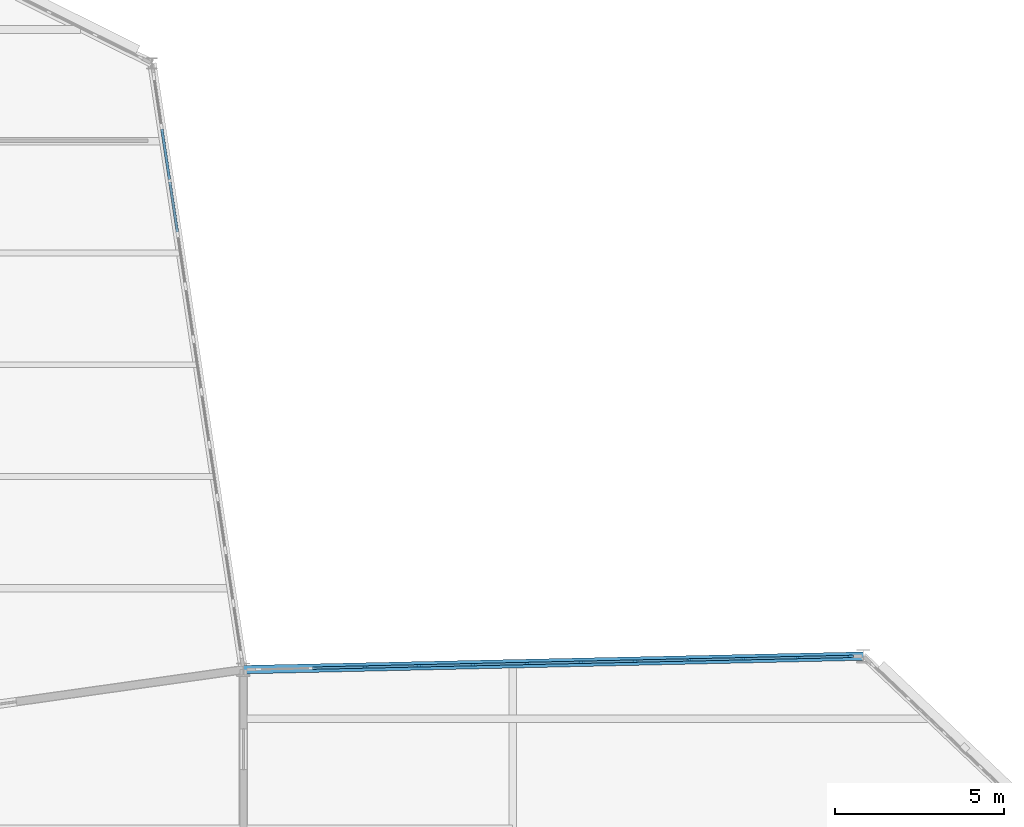
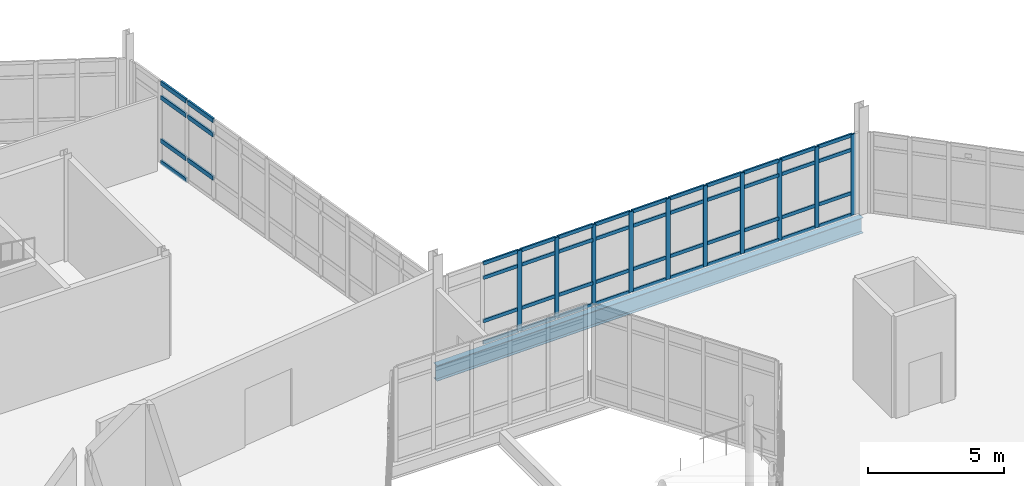
# One storey, part 47 of 134: 57 members, 1 beam, 2 elements without a shape of their own.
"""IFC4 building model written with IfcOpenShell, lengths in metres."""

from ifc_helpers import new_model, si_unit, direction, frame, origin, origin_2d, place, context, subcontext, project, spatial, rectangle, i_section, extrude, material, material_profile, profile_set, type_object, element, aggregate, save


model = new_model("IFC4")

# Units and contexts
model_context = context("Model", 3, precision=1e-05, world=origin(), true_north=direction((0.0, 1.0)))
body_context = subcontext(model_context, "Body", "Model", "MODEL_VIEW")
ifc_project = project(units=[si_unit("LENGTHUNIT", "METRE"), si_unit("AREAUNIT", "SQUARE_METRE"), si_unit("VOLUMEUNIT", "CUBIC_METRE"), si_unit("PLANEANGLEUNIT", "RADIAN"), si_unit("MASSUNIT", "GRAM", prefix="KILO")], contexts=[model_context])

# Site, building, storey
site_placement = place(None, origin())
site = spatial("IfcSite", under=ifc_project, at=site_placement, CompositionType="ELEMENT")
building_placement = place(site_placement, origin())
building = spatial("IfcBuilding", under=site, at=building_placement, Name="Tameran Prism Museum", CompositionType="ELEMENT")
storey_placement = place(building_placement, frame((0.0, 0.0, 5.39990234375)))
storey = spatial("IfcBuildingStorey", under=building, at=storey_placement, Name="L01", CompositionType="ELEMENT", Elevation=5.39990234375)

# Beam
ifc_material_1 = material(Name="Steel Grade 350 (350 MPa)", Category="steel")
ifc_material_profile_1 = material_profile(ifc_material_1, i_section(OverallWidth=0.25, OverallDepth=0.699951171875, WebThickness=0.010009765625, FlangeThickness=0.02001953125, at=origin_2d()))
ifc_profile_set_1 = profile_set([ifc_material_profile_1])
beam_type = type_object("IfcBeamType", Name="BM-SP700", PredefinedType="SPANDREL", material=ifc_profile_set_1)
beam_placement = place(storey_placement, frame((95.800048828125, 48.60009765625, -0.5498046875), z_axis=(-0.999761027559, -0.021860644425, 0.0), x_axis=(0.021860644425, -0.999761027559, 0.0)))
element("IfcBeam", 1, at=beam_placement, inside=storey, type_object=beam_type, Name="Perimeter Spandrel SP-0355", PredefinedType="SPANDREL", context=body_context, shape_type="SweptSolid", body=[
    extrude(i_section(OverallWidth=0.25, OverallDepth=0.699951171875, WebThickness=0.010009765625, FlangeThickness=0.02001953125, at=origin_2d()), origin(), (0.0, 0.0, 1.0), 18.304443359375),
])

# Curtain wall, members
ifc_material_2 = material(Name="Anodised Aluminium 6063-T6 and Cyclone Solar Glass", Category="aluminium")
curtain_wall_type_1 = type_object("IfcCurtainWallType", Name="CW-FAC-1754x362", PredefinedType="USERDEFINED", material=ifc_material_2)
curtain_wall_1_placement = place(storey_placement, origin())
curtain_wall_1 = element("IfcCurtainWall", 2, at=curtain_wall_1_placement, inside=storey, type_object=curtain_wall_type_1, Name="Unitised Curtain Wall CW-068", ObjectType="UNITISED CURTAIN WALL", PredefinedType="USERDEFINED")
ifc_material_3 = material(Name="Anodised Aluminium Alloy 6063-T6", Category="aluminium")
ifc_material_profile_2 = material_profile(ifc_material_3, rectangle(XDim=0.070068359375, YDim=0.179931640625, at=origin_2d()))
ifc_profile_set_2 = profile_set([ifc_material_profile_2])
member_type_1 = type_object("IfcMemberType", Name="CW-MUL-B", PredefinedType="MULLION", material=ifc_profile_set_2)
member_1_placement = place(storey_placement, frame((81.09912109375, 48.278564453125, 0.0), z_axis=(0.0, 0.0, 1.0), x_axis=(-0.021830600058, 0.999761684053, 0.0)))
member_1 = element("IfcMember", 3, at=member_1_placement, type_object=member_type_1, Name="CW-068 mullion 3", PredefinedType="MULLION", context=body_context, shape_type="SweptSolid", body=[
    extrude(rectangle(XDim=0.070068359375, YDim=0.179931640625, at=origin_2d()), origin(), (0.0, 0.0, 1.0), 3.6201171875),
])
member_2_placement = place(storey_placement, frame((82.693603515625, 48.3134765625, 0.0), z_axis=(0.0, 0.0, 1.0), x_axis=(-0.021830600058, 0.999761684053, 0.0)))
member_2 = element("IfcMember", 4, at=member_2_placement, type_object=member_type_1, Name="CW-068 mullion 4", PredefinedType="MULLION", context=body_context, shape_type="SweptSolid", body=[
    extrude(rectangle(XDim=0.070068359375, YDim=0.179931640625, at=origin_2d()), origin(), (0.0, 0.0, 1.0), 3.6201171875),
])
member_3_placement = place(storey_placement, frame((84.2880859375, 48.348388671875, 0.0), z_axis=(0.0, 0.0, 1.0), x_axis=(-0.021830600058, 0.999761684053, 0.0)))
member_3 = element("IfcMember", 5, at=member_3_placement, type_object=member_type_1, Name="CW-068 mullion 5", PredefinedType="MULLION", context=body_context, shape_type="SweptSolid", body=[
    extrude(rectangle(XDim=0.070068359375, YDim=0.179931640625, at=origin_2d()), origin(), (0.0, 0.0, 1.0), 3.6201171875),
])
member_4_placement = place(storey_placement, frame((85.8828125, 48.383056640625, 0.0), z_axis=(0.0, 0.0, 1.0), x_axis=(-0.021830600058, 0.999761684053, 0.0)))
member_4 = element("IfcMember", 6, at=member_4_placement, type_object=member_type_1, Name="CW-068 mullion 6", PredefinedType="MULLION", context=body_context, shape_type="SweptSolid", body=[
    extrude(rectangle(XDim=0.070068359375, YDim=0.179931640625, at=origin_2d()), origin(), (0.0, 0.0, 1.0), 3.6201171875),
])
member_5_placement = place(storey_placement, frame((87.477294921875, 48.41796875, 0.0), z_axis=(0.0, 0.0, 1.0), x_axis=(-0.021830600058, 0.999761684053, 0.0)))
member_5 = element("IfcMember", 7, at=member_5_placement, type_object=member_type_1, Name="CW-068 mullion 7", PredefinedType="MULLION", context=body_context, shape_type="SweptSolid", body=[
    extrude(rectangle(XDim=0.070068359375, YDim=0.179931640625, at=origin_2d()), origin(), (0.0, 0.0, 1.0), 3.6201171875),
])
member_6_placement = place(storey_placement, frame((89.07177734375, 48.45263671875, 0.0), z_axis=(0.0, 0.0, 1.0), x_axis=(-0.021830600058, 0.999761684053, 0.0)))
member_6 = element("IfcMember", 8, at=member_6_placement, type_object=member_type_1, Name="CW-068 mullion 8", PredefinedType="MULLION", context=body_context, shape_type="SweptSolid", body=[
    extrude(rectangle(XDim=0.070068359375, YDim=0.179931640625, at=origin_2d()), origin(), (0.0, 0.0, 1.0), 3.6201171875),
])
member_7_placement = place(storey_placement, frame((90.666259765625, 48.487548828125, 0.0), z_axis=(0.0, 0.0, 1.0), x_axis=(-0.021830600058, 0.999761684053, 0.0)))
member_7 = element("IfcMember", 9, at=member_7_placement, type_object=member_type_1, Name="CW-068 mullion 9", PredefinedType="MULLION", context=body_context, shape_type="SweptSolid", body=[
    extrude(rectangle(XDim=0.070068359375, YDim=0.179931640625, at=origin_2d()), origin(), (0.0, 0.0, 1.0), 3.6201171875),
])
member_8_placement = place(storey_placement, frame((92.260986328125, 48.5224609375, 0.0), z_axis=(0.0, 0.0, 1.0), x_axis=(-0.021830600058, 0.999761684053, 0.0)))
member_8 = element("IfcMember", 10, at=member_8_placement, type_object=member_type_1, Name="CW-068 mullion 10", PredefinedType="MULLION", context=body_context, shape_type="SweptSolid", body=[
    extrude(rectangle(XDim=0.070068359375, YDim=0.179931640625, at=origin_2d()), origin(), (0.0, 0.0, 1.0), 3.6201171875),
])
member_9_placement = place(storey_placement, frame((93.85546875, 48.55712890625, 0.0), z_axis=(0.0, 0.0, 1.0), x_axis=(-0.021830600058, 0.999761684053, 0.0)))
member_9 = element("IfcMember", 11, at=member_9_placement, type_object=member_type_1, Name="CW-068 mullion 11", PredefinedType="MULLION", context=body_context, shape_type="SweptSolid", body=[
    extrude(rectangle(XDim=0.070068359375, YDim=0.179931640625, at=origin_2d()), origin(), (0.0, 0.0, 1.0), 3.6201171875),
])
member_10_placement = place(storey_placement, frame((95.4150390625, 48.59130859375, 0.0), z_axis=(0.0, 0.0, 1.0), x_axis=(-0.021830600058, 0.999761684053, 0.0)))
member_10 = element("IfcMember", 12, at=member_10_placement, type_object=member_type_1, Name="CW-068 mullion 12", PredefinedType="MULLION", context=body_context, shape_type="SweptSolid", body=[
    extrude(rectangle(XDim=0.070068359375, YDim=0.179931640625, at=origin_2d()), origin(), (0.0, 0.0, 1.0), 3.6201171875),
])
ifc_material_4 = material(Name="Anodised Aluminium Alloy 6063-T6", Category="aluminium")
ifc_material_profile_3 = material_profile(ifc_material_4, rectangle(XDim=0.070068359375, YDim=0.155029296875, at=origin_2d()))
ifc_profile_set_3 = profile_set([ifc_material_profile_3])
member_type_2 = type_object("IfcMemberType", Name="CW-TRN-B", PredefinedType="USERDEFINED", material=ifc_profile_set_3)
member_11_placement = place(storey_placement, frame((79.53955078125, 48.24462890625, 0.03515625), z_axis=(0.999762956258, 0.021772259736, 0.0), x_axis=(-0.021772259736, 0.999762956258, 0.0)))
member_11 = element("IfcMember", 13, at=member_11_placement, type_object=member_type_2, Name="CW-068 transom 2.1", ObjectType="TRANSOM", PredefinedType="USERDEFINED", context=body_context, shape_type="SweptSolid", body=[
    extrude(rectangle(XDim=0.070068359375, YDim=0.155029296875, at=origin_2d()), origin(), (0.0, 0.0, 1.0), 1.52490234375),
])
member_12_placement = place(storey_placement, frame((79.53955078125, 48.24462890625, 1.0), z_axis=(0.999762956258, 0.021772259736, 0.0), x_axis=(-0.021772259736, 0.999762956258, 0.0)))
member_12 = element("IfcMember", 14, at=member_12_placement, type_object=member_type_2, Name="CW-068 transom 2.2", ObjectType="TRANSOM", PredefinedType="USERDEFINED", context=body_context, shape_type="SweptSolid", body=[
    extrude(rectangle(XDim=0.070068359375, YDim=0.155029296875, at=origin_2d()), origin(), (0.0, 0.0, 1.0), 1.52490234375),
])
member_13_placement = place(storey_placement, frame((79.53955078125, 48.24462890625, 2.940185546875), z_axis=(0.999762956258, 0.021772259736, 0.0), x_axis=(-0.021772259736, 0.999762956258, 0.0)))
member_13 = element("IfcMember", 15, at=member_13_placement, type_object=member_type_2, Name="CW-068 transom 2.3", ObjectType="TRANSOM", PredefinedType="USERDEFINED", context=body_context, shape_type="SweptSolid", body=[
    extrude(rectangle(XDim=0.070068359375, YDim=0.155029296875, at=origin_2d()), origin(), (0.0, 0.0, 1.0), 1.52490234375),
])
member_14_placement = place(storey_placement, frame((79.53955078125, 48.24462890625, 3.585205078125), z_axis=(0.999762956258, 0.021772259736, 0.0), x_axis=(-0.021772259736, 0.999762956258, 0.0)))
member_14 = element("IfcMember", 16, at=member_14_placement, type_object=member_type_2, Name="CW-068 transom 2.4", ObjectType="TRANSOM", PredefinedType="USERDEFINED", context=body_context, shape_type="SweptSolid", body=[
    extrude(rectangle(XDim=0.070068359375, YDim=0.155029296875, at=origin_2d()), origin(), (0.0, 0.0, 1.0), 1.52490234375),
])
member_15_placement = place(storey_placement, frame((81.134033203125, 48.279296875, 0.03515625), z_axis=(0.999759458767, 0.021932273155, 0.0), x_axis=(-0.021932273155, 0.999759458767, 0.0)))
member_15 = element("IfcMember", 17, at=member_15_placement, type_object=member_type_2, Name="CW-068 transom 3.1", ObjectType="TRANSOM", PredefinedType="USERDEFINED", context=body_context, shape_type="SweptSolid", body=[
    extrude(rectangle(XDim=0.070068359375, YDim=0.155029296875, at=origin_2d()), origin(), (0.0, 0.0, 1.0), 1.525146484375),
])
member_16_placement = place(storey_placement, frame((81.134033203125, 48.279296875, 1.0), z_axis=(0.999759458767, 0.021932273155, 0.0), x_axis=(-0.021932273155, 0.999759458767, 0.0)))
member_16 = element("IfcMember", 18, at=member_16_placement, type_object=member_type_2, Name="CW-068 transom 3.2", ObjectType="TRANSOM", PredefinedType="USERDEFINED", context=body_context, shape_type="SweptSolid", body=[
    extrude(rectangle(XDim=0.070068359375, YDim=0.155029296875, at=origin_2d()), origin(), (0.0, 0.0, 1.0), 1.525146484375),
])
member_17_placement = place(storey_placement, frame((81.134033203125, 48.279296875, 2.940185546875), z_axis=(0.999759458767, 0.021932273155, 0.0), x_axis=(-0.021932273155, 0.999759458767, 0.0)))
member_17 = element("IfcMember", 19, at=member_17_placement, type_object=member_type_2, Name="CW-068 transom 3.3", ObjectType="TRANSOM", PredefinedType="USERDEFINED", context=body_context, shape_type="SweptSolid", body=[
    extrude(rectangle(XDim=0.070068359375, YDim=0.155029296875, at=origin_2d()), origin(), (0.0, 0.0, 1.0), 1.525146484375),
])
member_18_placement = place(storey_placement, frame((81.134033203125, 48.279296875, 3.585205078125), z_axis=(0.999759458767, 0.021932273155, 0.0), x_axis=(-0.021932273155, 0.999759458767, 0.0)))
member_18 = element("IfcMember", 20, at=member_18_placement, type_object=member_type_2, Name="CW-068 transom 3.4", ObjectType="TRANSOM", PredefinedType="USERDEFINED", context=body_context, shape_type="SweptSolid", body=[
    extrude(rectangle(XDim=0.070068359375, YDim=0.155029296875, at=origin_2d()), origin(), (0.0, 0.0, 1.0), 1.525146484375),
])
member_19_placement = place(storey_placement, frame((82.728515625, 48.314208984375, 0.03515625), z_axis=(0.999762956258, 0.021772259736, 0.0), x_axis=(-0.021772259736, 0.999762956258, 0.0)))
member_19 = element("IfcMember", 21, at=member_19_placement, type_object=member_type_2, Name="CW-068 transom 4.1", ObjectType="TRANSOM", PredefinedType="USERDEFINED", context=body_context, shape_type="SweptSolid", body=[
    extrude(rectangle(XDim=0.070068359375, YDim=0.155029296875, at=origin_2d()), origin(), (0.0, 0.0, 1.0), 1.52490234375),
])
member_20_placement = place(storey_placement, frame((82.728515625, 48.314208984375, 1.0), z_axis=(0.999762956258, 0.021772259736, 0.0), x_axis=(-0.021772259736, 0.999762956258, 0.0)))
member_20 = element("IfcMember", 22, at=member_20_placement, type_object=member_type_2, Name="CW-068 transom 4.2", ObjectType="TRANSOM", PredefinedType="USERDEFINED", context=body_context, shape_type="SweptSolid", body=[
    extrude(rectangle(XDim=0.070068359375, YDim=0.155029296875, at=origin_2d()), origin(), (0.0, 0.0, 1.0), 1.52490234375),
])
member_21_placement = place(storey_placement, frame((82.728515625, 48.314208984375, 2.940185546875), z_axis=(0.999762956258, 0.021772259736, 0.0), x_axis=(-0.021772259736, 0.999762956258, 0.0)))
member_21 = element("IfcMember", 23, at=member_21_placement, type_object=member_type_2, Name="CW-068 transom 4.3", ObjectType="TRANSOM", PredefinedType="USERDEFINED", context=body_context, shape_type="SweptSolid", body=[
    extrude(rectangle(XDim=0.070068359375, YDim=0.155029296875, at=origin_2d()), origin(), (0.0, 0.0, 1.0), 1.52490234375),
])
member_22_placement = place(storey_placement, frame((82.728515625, 48.314208984375, 3.585205078125), z_axis=(0.999762956258, 0.021772259736, 0.0), x_axis=(-0.021772259736, 0.999762956258, 0.0)))
member_22 = element("IfcMember", 24, at=member_22_placement, type_object=member_type_2, Name="CW-068 transom 4.4", ObjectType="TRANSOM", PredefinedType="USERDEFINED", context=body_context, shape_type="SweptSolid", body=[
    extrude(rectangle(XDim=0.070068359375, YDim=0.155029296875, at=origin_2d()), origin(), (0.0, 0.0, 1.0), 1.52490234375),
])
member_23_placement = place(storey_placement, frame((84.3232421875, 48.34912109375, 0.03515625), z_axis=(0.999762880352, 0.021775744992, 0.0), x_axis=(-0.021775744992, 0.999762880352, 0.0)))
member_23 = element("IfcMember", 25, at=member_23_placement, type_object=member_type_2, Name="CW-068 transom 5.1", ObjectType="TRANSOM", PredefinedType="USERDEFINED", context=body_context, shape_type="SweptSolid", body=[
    extrude(rectangle(XDim=0.070068359375, YDim=0.155029296875, at=origin_2d()), origin(), (0.0, 0.0, 1.0), 1.524658203125),
])
member_24_placement = place(storey_placement, frame((84.3232421875, 48.34912109375, 1.0), z_axis=(0.999762880352, 0.021775744992, 0.0), x_axis=(-0.021775744992, 0.999762880352, 0.0)))
member_24 = element("IfcMember", 26, at=member_24_placement, type_object=member_type_2, Name="CW-068 transom 5.2", ObjectType="TRANSOM", PredefinedType="USERDEFINED", context=body_context, shape_type="SweptSolid", body=[
    extrude(rectangle(XDim=0.070068359375, YDim=0.155029296875, at=origin_2d()), origin(), (0.0, 0.0, 1.0), 1.524658203125),
])
member_25_placement = place(storey_placement, frame((84.3232421875, 48.34912109375, 2.940185546875), z_axis=(0.999762880352, 0.021775744992, 0.0), x_axis=(-0.021775744992, 0.999762880352, 0.0)))
member_25 = element("IfcMember", 27, at=member_25_placement, type_object=member_type_2, Name="CW-068 transom 5.3", ObjectType="TRANSOM", PredefinedType="USERDEFINED", context=body_context, shape_type="SweptSolid", body=[
    extrude(rectangle(XDim=0.070068359375, YDim=0.155029296875, at=origin_2d()), origin(), (0.0, 0.0, 1.0), 1.524658203125),
])
member_26_placement = place(storey_placement, frame((84.3232421875, 48.34912109375, 3.585205078125), z_axis=(0.999762880352, 0.021775744992, 0.0), x_axis=(-0.021775744992, 0.999762880352, 0.0)))
member_26 = element("IfcMember", 28, at=member_26_placement, type_object=member_type_2, Name="CW-068 transom 5.4", ObjectType="TRANSOM", PredefinedType="USERDEFINED", context=body_context, shape_type="SweptSolid", body=[
    extrude(rectangle(XDim=0.070068359375, YDim=0.155029296875, at=origin_2d()), origin(), (0.0, 0.0, 1.0), 1.524658203125),
])
member_27_placement = place(storey_placement, frame((85.917724609375, 48.3837890625, 0.03515625), z_axis=(0.999759458767, 0.021932273155, 0.0), x_axis=(-0.021932273155, 0.999759458767, 0.0)))
member_27 = element("IfcMember", 29, at=member_27_placement, type_object=member_type_2, Name="CW-068 transom 6.1", ObjectType="TRANSOM", PredefinedType="USERDEFINED", context=body_context, shape_type="SweptSolid", body=[
    extrude(rectangle(XDim=0.070068359375, YDim=0.155029296875, at=origin_2d()), origin(), (0.0, 0.0, 1.0), 1.525146484375),
])
member_28_placement = place(storey_placement, frame((85.917724609375, 48.3837890625, 1.0), z_axis=(0.999759458767, 0.021932273155, 0.0), x_axis=(-0.021932273155, 0.999759458767, 0.0)))
member_28 = element("IfcMember", 30, at=member_28_placement, type_object=member_type_2, Name="CW-068 transom 6.2", ObjectType="TRANSOM", PredefinedType="USERDEFINED", context=body_context, shape_type="SweptSolid", body=[
    extrude(rectangle(XDim=0.070068359375, YDim=0.155029296875, at=origin_2d()), origin(), (0.0, 0.0, 1.0), 1.525146484375),
])
member_29_placement = place(storey_placement, frame((85.917724609375, 48.3837890625, 2.940185546875), z_axis=(0.999759458767, 0.021932273155, 0.0), x_axis=(-0.021932273155, 0.999759458767, 0.0)))
member_29 = element("IfcMember", 31, at=member_29_placement, type_object=member_type_2, Name="CW-068 transom 6.3", ObjectType="TRANSOM", PredefinedType="USERDEFINED", context=body_context, shape_type="SweptSolid", body=[
    extrude(rectangle(XDim=0.070068359375, YDim=0.155029296875, at=origin_2d()), origin(), (0.0, 0.0, 1.0), 1.525146484375),
])
member_30_placement = place(storey_placement, frame((85.917724609375, 48.3837890625, 3.585205078125), z_axis=(0.999759458767, 0.021932273155, 0.0), x_axis=(-0.021932273155, 0.999759458767, 0.0)))
member_30 = element("IfcMember", 32, at=member_30_placement, type_object=member_type_2, Name="CW-068 transom 6.4", ObjectType="TRANSOM", PredefinedType="USERDEFINED", context=body_context, shape_type="SweptSolid", body=[
    extrude(rectangle(XDim=0.070068359375, YDim=0.155029296875, at=origin_2d()), origin(), (0.0, 0.0, 1.0), 1.525146484375),
])
member_31_placement = place(storey_placement, frame((87.51220703125, 48.418701171875, 0.03515625), z_axis=(0.999762956258, 0.021772259736, 0.0), x_axis=(-0.021772259736, 0.999762956258, 0.0)))
member_31 = element("IfcMember", 33, at=member_31_placement, type_object=member_type_2, Name="CW-068 transom 7.1", ObjectType="TRANSOM", PredefinedType="USERDEFINED", context=body_context, shape_type="SweptSolid", body=[
    extrude(rectangle(XDim=0.070068359375, YDim=0.155029296875, at=origin_2d()), origin(), (0.0, 0.0, 1.0), 1.52490234375),
])
member_32_placement = place(storey_placement, frame((87.51220703125, 48.418701171875, 1.0), z_axis=(0.999762956258, 0.021772259736, 0.0), x_axis=(-0.021772259736, 0.999762956258, 0.0)))
member_32 = element("IfcMember", 34, at=member_32_placement, type_object=member_type_2, Name="CW-068 transom 7.2", ObjectType="TRANSOM", PredefinedType="USERDEFINED", context=body_context, shape_type="SweptSolid", body=[
    extrude(rectangle(XDim=0.070068359375, YDim=0.155029296875, at=origin_2d()), origin(), (0.0, 0.0, 1.0), 1.52490234375),
])
member_33_placement = place(storey_placement, frame((87.51220703125, 48.418701171875, 2.940185546875), z_axis=(0.999762956258, 0.021772259736, 0.0), x_axis=(-0.021772259736, 0.999762956258, 0.0)))
member_33 = element("IfcMember", 35, at=member_33_placement, type_object=member_type_2, Name="CW-068 transom 7.3", ObjectType="TRANSOM", PredefinedType="USERDEFINED", context=body_context, shape_type="SweptSolid", body=[
    extrude(rectangle(XDim=0.070068359375, YDim=0.155029296875, at=origin_2d()), origin(), (0.0, 0.0, 1.0), 1.52490234375),
])
member_34_placement = place(storey_placement, frame((87.51220703125, 48.418701171875, 3.585205078125), z_axis=(0.999762956258, 0.021772259736, 0.0), x_axis=(-0.021772259736, 0.999762956258, 0.0)))
member_34 = element("IfcMember", 36, at=member_34_placement, type_object=member_type_2, Name="CW-068 transom 7.4", ObjectType="TRANSOM", PredefinedType="USERDEFINED", context=body_context, shape_type="SweptSolid", body=[
    extrude(rectangle(XDim=0.070068359375, YDim=0.155029296875, at=origin_2d()), origin(), (0.0, 0.0, 1.0), 1.52490234375),
])
member_35_placement = place(storey_placement, frame((89.106689453125, 48.45361328125, 0.03515625), z_axis=(0.999762956258, 0.021772259736, 0.0), x_axis=(-0.021772259736, 0.999762956258, 0.0)))
member_35 = element("IfcMember", 37, at=member_35_placement, type_object=member_type_2, Name="CW-068 transom 8.1", ObjectType="TRANSOM", PredefinedType="USERDEFINED", context=body_context, shape_type="SweptSolid", body=[
    extrude(rectangle(XDim=0.070068359375, YDim=0.155029296875, at=origin_2d()), origin(), (0.0, 0.0, 1.0), 1.52490234375),
])
member_36_placement = place(storey_placement, frame((89.106689453125, 48.45361328125, 1.0), z_axis=(0.999762956258, 0.021772259736, 0.0), x_axis=(-0.021772259736, 0.999762956258, 0.0)))
member_36 = element("IfcMember", 38, at=member_36_placement, type_object=member_type_2, Name="CW-068 transom 8.2", ObjectType="TRANSOM", PredefinedType="USERDEFINED", context=body_context, shape_type="SweptSolid", body=[
    extrude(rectangle(XDim=0.070068359375, YDim=0.155029296875, at=origin_2d()), origin(), (0.0, 0.0, 1.0), 1.52490234375),
])
member_37_placement = place(storey_placement, frame((89.106689453125, 48.45361328125, 2.940185546875), z_axis=(0.999762956258, 0.021772259736, 0.0), x_axis=(-0.021772259736, 0.999762956258, 0.0)))
member_37 = element("IfcMember", 39, at=member_37_placement, type_object=member_type_2, Name="CW-068 transom 8.3", ObjectType="TRANSOM", PredefinedType="USERDEFINED", context=body_context, shape_type="SweptSolid", body=[
    extrude(rectangle(XDim=0.070068359375, YDim=0.155029296875, at=origin_2d()), origin(), (0.0, 0.0, 1.0), 1.52490234375),
])
member_38_placement = place(storey_placement, frame((89.106689453125, 48.45361328125, 3.585205078125), z_axis=(0.999762956258, 0.021772259736, 0.0), x_axis=(-0.021772259736, 0.999762956258, 0.0)))
member_38 = element("IfcMember", 40, at=member_38_placement, type_object=member_type_2, Name="CW-068 transom 8.4", ObjectType="TRANSOM", PredefinedType="USERDEFINED", context=body_context, shape_type="SweptSolid", body=[
    extrude(rectangle(XDim=0.070068359375, YDim=0.155029296875, at=origin_2d()), origin(), (0.0, 0.0, 1.0), 1.52490234375),
])
member_39_placement = place(storey_placement, frame((90.701416015625, 48.48828125, 0.03515625), z_axis=(0.999762880352, 0.021775744992, 0.0), x_axis=(-0.021775744992, 0.999762880352, 0.0)))
member_39 = element("IfcMember", 41, at=member_39_placement, type_object=member_type_2, Name="CW-068 transom 9.1", ObjectType="TRANSOM", PredefinedType="USERDEFINED", context=body_context, shape_type="SweptSolid", body=[
    extrude(rectangle(XDim=0.070068359375, YDim=0.155029296875, at=origin_2d()), origin(), (0.0, 0.0, 1.0), 1.524658203125),
])
member_40_placement = place(storey_placement, frame((90.701416015625, 48.48828125, 1.0), z_axis=(0.999762880352, 0.021775744992, 0.0), x_axis=(-0.021775744992, 0.999762880352, 0.0)))
member_40 = element("IfcMember", 42, at=member_40_placement, type_object=member_type_2, Name="CW-068 transom 9.2", ObjectType="TRANSOM", PredefinedType="USERDEFINED", context=body_context, shape_type="SweptSolid", body=[
    extrude(rectangle(XDim=0.070068359375, YDim=0.155029296875, at=origin_2d()), origin(), (0.0, 0.0, 1.0), 1.524658203125),
])
member_41_placement = place(storey_placement, frame((90.701416015625, 48.48828125, 2.940185546875), z_axis=(0.999762880352, 0.021775744992, 0.0), x_axis=(-0.021775744992, 0.999762880352, 0.0)))
member_41 = element("IfcMember", 43, at=member_41_placement, type_object=member_type_2, Name="CW-068 transom 9.3", ObjectType="TRANSOM", PredefinedType="USERDEFINED", context=body_context, shape_type="SweptSolid", body=[
    extrude(rectangle(XDim=0.070068359375, YDim=0.155029296875, at=origin_2d()), origin(), (0.0, 0.0, 1.0), 1.524658203125),
])
member_42_placement = place(storey_placement, frame((90.701416015625, 48.48828125, 3.585205078125), z_axis=(0.999762880352, 0.021775744992, 0.0), x_axis=(-0.021775744992, 0.999762880352, 0.0)))
member_42 = element("IfcMember", 44, at=member_42_placement, type_object=member_type_2, Name="CW-068 transom 9.4", ObjectType="TRANSOM", PredefinedType="USERDEFINED", context=body_context, shape_type="SweptSolid", body=[
    extrude(rectangle(XDim=0.070068359375, YDim=0.155029296875, at=origin_2d()), origin(), (0.0, 0.0, 1.0), 1.524658203125),
])
member_43_placement = place(storey_placement, frame((92.2958984375, 48.523193359375, 0.03515625), z_axis=(0.999762956258, 0.021772259736, 0.0), x_axis=(-0.021772259736, 0.999762956258, 0.0)))
member_43 = element("IfcMember", 45, at=member_43_placement, type_object=member_type_2, Name="CW-068 transom 10.1", ObjectType="TRANSOM", PredefinedType="USERDEFINED", context=body_context, shape_type="SweptSolid", body=[
    extrude(rectangle(XDim=0.070068359375, YDim=0.155029296875, at=origin_2d()), origin(), (0.0, 0.0, 1.0), 1.52490234375),
])
member_44_placement = place(storey_placement, frame((92.2958984375, 48.523193359375, 1.0), z_axis=(0.999762956258, 0.021772259736, 0.0), x_axis=(-0.021772259736, 0.999762956258, 0.0)))
member_44 = element("IfcMember", 46, at=member_44_placement, type_object=member_type_2, Name="CW-068 transom 10.2", ObjectType="TRANSOM", PredefinedType="USERDEFINED", context=body_context, shape_type="SweptSolid", body=[
    extrude(rectangle(XDim=0.070068359375, YDim=0.155029296875, at=origin_2d()), origin(), (0.0, 0.0, 1.0), 1.52490234375),
])
member_45_placement = place(storey_placement, frame((92.2958984375, 48.523193359375, 2.940185546875), z_axis=(0.999762956258, 0.021772259736, 0.0), x_axis=(-0.021772259736, 0.999762956258, 0.0)))
member_45 = element("IfcMember", 47, at=member_45_placement, type_object=member_type_2, Name="CW-068 transom 10.3", ObjectType="TRANSOM", PredefinedType="USERDEFINED", context=body_context, shape_type="SweptSolid", body=[
    extrude(rectangle(XDim=0.070068359375, YDim=0.155029296875, at=origin_2d()), origin(), (0.0, 0.0, 1.0), 1.52490234375),
])
member_46_placement = place(storey_placement, frame((92.2958984375, 48.523193359375, 3.585205078125), z_axis=(0.999762956258, 0.021772259736, 0.0), x_axis=(-0.021772259736, 0.999762956258, 0.0)))
member_46 = element("IfcMember", 48, at=member_46_placement, type_object=member_type_2, Name="CW-068 transom 10.4", ObjectType="TRANSOM", PredefinedType="USERDEFINED", context=body_context, shape_type="SweptSolid", body=[
    extrude(rectangle(XDim=0.070068359375, YDim=0.155029296875, at=origin_2d()), origin(), (0.0, 0.0, 1.0), 1.52490234375),
])
member_47_placement = place(storey_placement, frame((93.890380859375, 48.557861328125, 0.03515625), z_axis=(0.999758966086, 0.021954720003, 0.0), x_axis=(-0.021954720003, 0.999758966086, 0.0)))
member_47 = element("IfcMember", 49, at=member_47_placement, type_object=member_type_2, Name="CW-068 transom 11.1", ObjectType="TRANSOM", PredefinedType="USERDEFINED", context=body_context, shape_type="SweptSolid", body=[
    extrude(rectangle(XDim=0.070068359375, YDim=0.155029296875, at=origin_2d()), origin(), (0.0, 0.0, 1.0), 1.489990234375),
])
member_48_placement = place(storey_placement, frame((93.890380859375, 48.557861328125, 1.0), z_axis=(0.999758966086, 0.021954720003, 0.0), x_axis=(-0.021954720003, 0.999758966086, 0.0)))
member_48 = element("IfcMember", 50, at=member_48_placement, type_object=member_type_2, Name="CW-068 transom 11.2", ObjectType="TRANSOM", PredefinedType="USERDEFINED", context=body_context, shape_type="SweptSolid", body=[
    extrude(rectangle(XDim=0.070068359375, YDim=0.155029296875, at=origin_2d()), origin(), (0.0, 0.0, 1.0), 1.489990234375),
])
member_49_placement = place(storey_placement, frame((93.890380859375, 48.557861328125, 2.940185546875), z_axis=(0.999758966086, 0.021954720003, 0.0), x_axis=(-0.021954720003, 0.999758966086, 0.0)))
member_49 = element("IfcMember", 51, at=member_49_placement, type_object=member_type_2, Name="CW-068 transom 11.3", ObjectType="TRANSOM", PredefinedType="USERDEFINED", context=body_context, shape_type="SweptSolid", body=[
    extrude(rectangle(XDim=0.070068359375, YDim=0.155029296875, at=origin_2d()), origin(), (0.0, 0.0, 1.0), 1.489990234375),
])
member_50_placement = place(storey_placement, frame((93.890380859375, 48.557861328125, 3.585205078125), z_axis=(0.999758966086, 0.021954720003, 0.0), x_axis=(-0.021954720003, 0.999758966086, 0.0)))
member_50 = element("IfcMember", 52, at=member_50_placement, type_object=member_type_2, Name="CW-068 transom 11.4", ObjectType="TRANSOM", PredefinedType="USERDEFINED", context=body_context, shape_type="SweptSolid", body=[
    extrude(rectangle(XDim=0.070068359375, YDim=0.155029296875, at=origin_2d()), origin(), (0.0, 0.0, 1.0), 1.489990234375),
])
aggregate(curtain_wall_1, [member_1, member_2, member_3, member_4, member_5, member_6, member_7, member_8, member_9, member_10, member_11, member_12, member_13, member_14, member_15, member_16, member_17, member_18, member_19, member_20, member_21, member_22, member_23, member_24, member_25, member_26, member_27, member_28, member_29, member_30, member_31, member_32, member_33, member_34, member_35, member_36, member_37, member_38, member_39, member_40, member_41, member_42, member_43, member_44, member_45, member_46, member_47, member_48, member_49, member_50])

ifc_material_5 = material(Name="Anodised Aluminium 6063-T6 and Cyclone Solar Glass", Category="aluminium")
curtain_wall_type_2 = type_object("IfcCurtainWallType", Name="CW-FAC-1734x362", PredefinedType="USERDEFINED", material=ifc_material_5)
curtain_wall_2_placement = place(storey_placement, origin())
curtain_wall_2 = element("IfcCurtainWall", 53, at=curtain_wall_2_placement, inside=storey, type_object=curtain_wall_type_2, Name="Unitised Curtain Wall CW-070", ObjectType="UNITISED CURTAIN WALL", PredefinedType="USERDEFINED")
ifc_material_6 = material(Name="Anodised Aluminium Alloy 6063-T6", Category="aluminium")
ifc_material_profile_4 = material_profile(ifc_material_6, rectangle(XDim=0.080078125, YDim=0.195068359375, at=origin_2d()))
ifc_profile_set_4 = profile_set([ifc_material_profile_4])
member_type_3 = type_object("IfcMemberType", Name="CW-TRN-D", PredefinedType="USERDEFINED", material=ifc_profile_set_4)
member_51_placement = place(storey_placement, frame((75.09326171875, 64.155517578125, 0.0400390625), z_axis=(0.149090196477, -0.988823600707, 0.0), x_axis=(0.988823600707, 0.149090196477, 0.0)))
member_51 = element("IfcMember", 54, at=member_51_placement, type_object=member_type_3, Name="CW-070 transom 2.1", ObjectType="TRANSOM", PredefinedType="USERDEFINED", context=body_context, shape_type="SweptSolid", body=[
    extrude(rectangle(XDim=0.080078125, YDim=0.195068359375, at=origin_2d()), origin(), (0.0, 0.0, 1.0), 1.496826171875),
])
member_52_placement = place(storey_placement, frame((75.09326171875, 64.155517578125, 1.0), z_axis=(0.149090196477, -0.988823600707, 0.0), x_axis=(0.988823600707, 0.149090196477, 0.0)))
member_52 = element("IfcMember", 55, at=member_52_placement, type_object=member_type_3, Name="CW-070 transom 2.2", ObjectType="TRANSOM", PredefinedType="USERDEFINED", context=body_context, shape_type="SweptSolid", body=[
    extrude(rectangle(XDim=0.080078125, YDim=0.195068359375, at=origin_2d()), origin(), (0.0, 0.0, 1.0), 1.496826171875),
])
member_53_placement = place(storey_placement, frame((75.09326171875, 64.155517578125, 2.940185546875), z_axis=(0.149090196477, -0.988823600707, 0.0), x_axis=(0.988823600707, 0.149090196477, 0.0)))
member_53 = element("IfcMember", 56, at=member_53_placement, type_object=member_type_3, Name="CW-070 transom 2.3", ObjectType="TRANSOM", PredefinedType="USERDEFINED", context=body_context, shape_type="SweptSolid", body=[
    extrude(rectangle(XDim=0.080078125, YDim=0.195068359375, at=origin_2d()), origin(), (0.0, 0.0, 1.0), 1.496826171875),
])
member_54_placement = place(storey_placement, frame((75.09326171875, 64.155517578125, 3.580078125), z_axis=(0.149090196477, -0.988823600707, 0.0), x_axis=(0.988823600707, 0.149090196477, 0.0)))
member_54 = element("IfcMember", 57, at=member_54_placement, type_object=member_type_3, Name="CW-070 transom 2.4", ObjectType="TRANSOM", PredefinedType="USERDEFINED", context=body_context, shape_type="SweptSolid", body=[
    extrude(rectangle(XDim=0.080078125, YDim=0.195068359375, at=origin_2d()), origin(), (0.0, 0.0, 1.0), 1.496826171875),
])
member_55_placement = place(storey_placement, frame((75.328369140625, 62.596435546875, 1.0), z_axis=(0.149090196477, -0.988823600707, 0.0), x_axis=(0.988823600707, 0.149090196477, 0.0)))
member_55 = element("IfcMember", 58, at=member_55_placement, type_object=member_type_3, Name="CW-070 transom 3.2", ObjectType="TRANSOM", PredefinedType="USERDEFINED", context=body_context, shape_type="SweptSolid", body=[
    extrude(rectangle(XDim=0.080078125, YDim=0.195068359375, at=origin_2d()), origin(), (0.0, 0.0, 1.0), 1.496826171875),
])
member_56_placement = place(storey_placement, frame((75.328369140625, 62.596435546875, 2.940185546875), z_axis=(0.149090196477, -0.988823600707, 0.0), x_axis=(0.988823600707, 0.149090196477, 0.0)))
member_56 = element("IfcMember", 59, at=member_56_placement, type_object=member_type_3, Name="CW-070 transom 3.3", ObjectType="TRANSOM", PredefinedType="USERDEFINED", context=body_context, shape_type="SweptSolid", body=[
    extrude(rectangle(XDim=0.080078125, YDim=0.195068359375, at=origin_2d()), origin(), (0.0, 0.0, 1.0), 1.496826171875),
])
member_57_placement = place(storey_placement, frame((75.328369140625, 62.596435546875, 3.580078125), z_axis=(0.149090196477, -0.988823600707, 0.0), x_axis=(0.988823600707, 0.149090196477, 0.0)))
member_57 = element("IfcMember", 60, at=member_57_placement, type_object=member_type_3, Name="CW-070 transom 3.4", ObjectType="TRANSOM", PredefinedType="USERDEFINED", context=body_context, shape_type="SweptSolid", body=[
    extrude(rectangle(XDim=0.080078125, YDim=0.195068359375, at=origin_2d()), origin(), (0.0, 0.0, 1.0), 1.496826171875),
])
aggregate(curtain_wall_2, [member_51, member_52, member_53, member_54, member_55, member_56, member_57])

save(model, "model.ifc")
